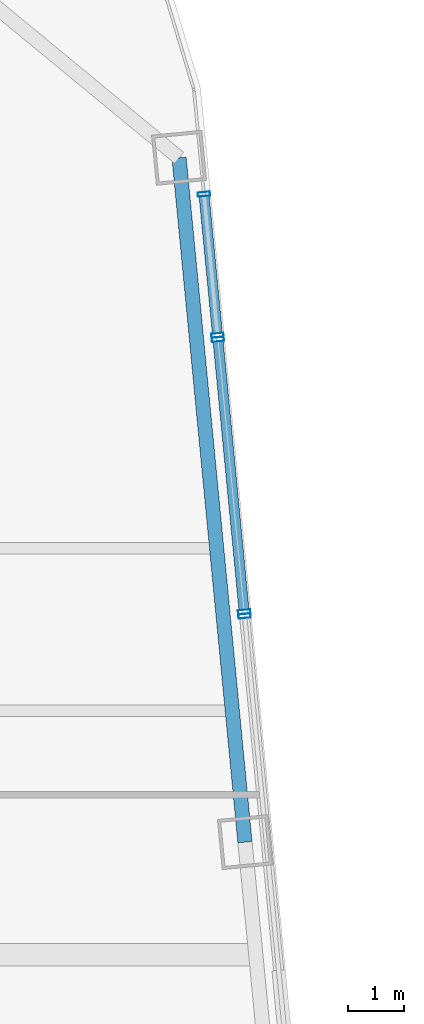
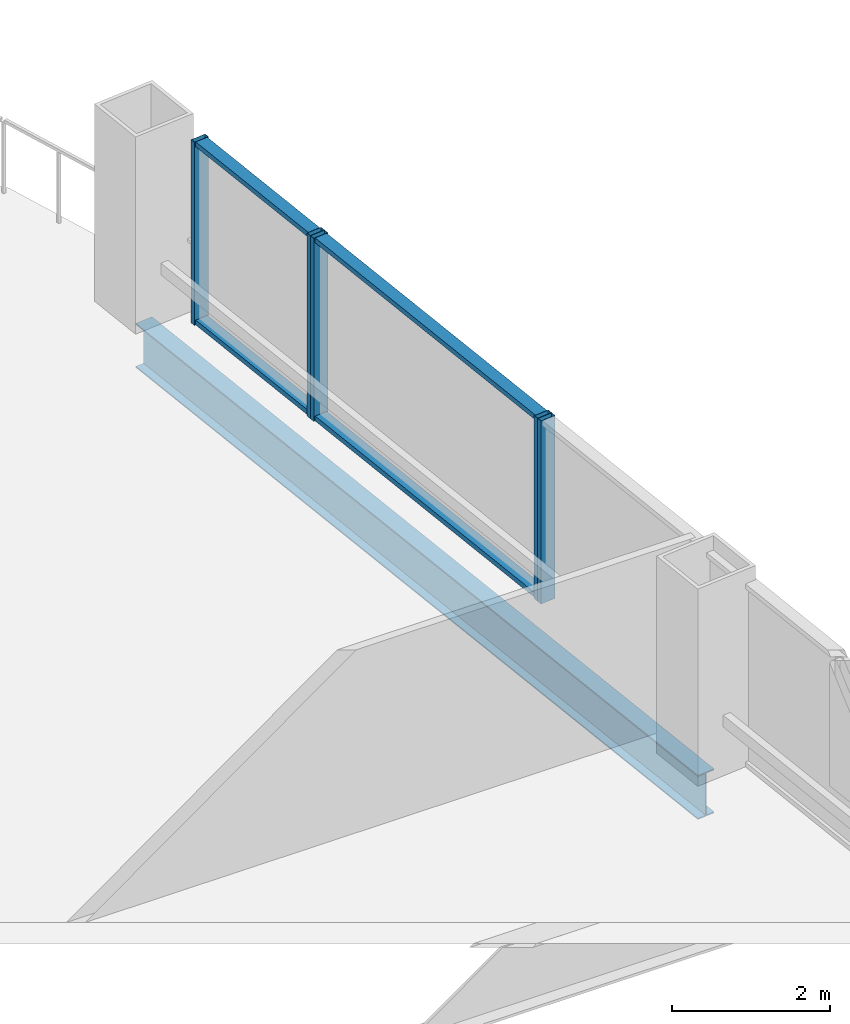
# One storey, part 24 of 32: 9 members, 1 beam, 3 elements without a shape of their own.
"""IFC4 building model written with IfcOpenShell, lengths in metres."""

from ifc_helpers import new_model, si_unit, direction, frame, origin, origin_2d, place, context, subcontext, project, spatial, hollow_rectangle, i_section, extrude, material, layer, layer_set, material_profile, profile_set, type_object, element, aggregate, save


model = new_model("IFC4")

# Units and contexts
model_context = context("Model", 3, precision=1e-05, world=origin(), true_north=direction((0.0, 1.0)))
body_context = subcontext(model_context, "Body", "Model", "MODEL_VIEW")
ifc_project = project(units=[si_unit("LENGTHUNIT", "METRE"), si_unit("AREAUNIT", "SQUARE_METRE"), si_unit("VOLUMEUNIT", "CUBIC_METRE"), si_unit("PLANEANGLEUNIT", "RADIAN"), si_unit("MASSUNIT", "GRAM", prefix="KILO")], contexts=[model_context])

# Site, building, storey
site_placement = place(None, origin())
site = spatial("IfcSite", under=ifc_project, at=site_placement, CompositionType="ELEMENT")
building_placement = place(site_placement, origin())
building = spatial("IfcBuilding", under=site, at=building_placement, Name="Qhalaya Broadcast Tower", CompositionType="ELEMENT")
storey_placement = place(building_placement, frame((0.0, 0.0, 87.75)))
storey = spatial("IfcBuildingStorey", under=building, at=storey_placement, Name="L25", CompositionType="ELEMENT", Elevation=87.75)

# Beam
ifc_material_1 = material(Name="Structural Steel ASTM A992 Grade 50", Category="steel")
ifc_material_profile_1 = material_profile(ifc_material_1, i_section(OverallWidth=0.25390625, OverallDepth=0.68310546875, WebThickness=0.012451171875, FlangeThickness=0.01904296875, at=origin_2d()), Name="W27X94")
ifc_profile_set_1 = profile_set([ifc_material_profile_1], Name="Structural Steel ASTM A992 Grade 50")
beam_type = type_object("IfcBeamType", Name="Perimeter Ring Spandrel Beam SP1", PredefinedType="SPANDREL", material=ifc_profile_set_1)
beam_placement = place(storey_placement, frame((26.941162109375, 11.955078125, -0.5615234375), z_axis=(-0.095851586307, 0.99539563662, 0.0), x_axis=(-0.99539563662, -0.095851586307, 0.0)))
element("IfcBeam", 1, at=beam_placement, inside=storey, type_object=beam_type, Name="L25 SP1 L25-SPR-07", PredefinedType="SPANDREL", context=body_context, shape_type="SweptSolid", body=[
    extrude(i_section(OverallWidth=0.25390625, OverallDepth=0.68310546875, WebThickness=0.012451171875, FlangeThickness=0.01904296875, at=origin_2d()), origin(), (0.0, 0.0, 1.0), 12.2666015625),
])

# Curtain wall, member
ifc_material_2 = material(Name="Fired Architectural Terracotta", Category="masonry")
ifc_layer_1 = layer(ifc_material_2, 0.219970703125, Name="Fired Architectural Terracotta")
ifc_layer_set_1 = layer_set([ifc_layer_1], Name="Fired Architectural Terracotta")
curtain_wall_type_1 = type_object("IfcCurtainWallType", Name="Block-Cap Unitised Terracotta Spandrel Wall CW-07", PredefinedType="NOTDEFINED", material=ifc_layer_set_1)
curtain_wall_1_placement = place(storey_placement, origin())
curtain_wall_1 = element("IfcCurtainWall", 2, at=curtain_wall_1_placement, inside=storey, type_object=curtain_wall_type_1, Name="L25 Unitised Curtain Wall L25-CW-E5", PredefinedType="NOTDEFINED")
ifc_material_3 = material(Name="Anodised Aluminium 6063-T6", Category="aluminium")
ifc_material_profile_2 = material_profile(ifc_material_3, hollow_rectangle(XDim=0.074951171875, YDim=0.219970703125, WallThickness=0.00390625, at=origin_2d()), Name="ALU-MUL 75x220x4")
ifc_profile_set_2 = profile_set([ifc_material_profile_2], Name="Anodised Aluminium 6063-T6")
member_type_1 = type_object("IfcMemberType", Name="Unitised Curtain-Wall Mullion M01", PredefinedType="MULLION", material=ifc_profile_set_2)
member_1_placement = place(storey_placement, frame((26.934326171875, 15.989990234375, 0.0), z_axis=(0.0, 0.0, 1.0), x_axis=(-0.095849092763, 0.995395876733, 0.0)))
member_1 = element("IfcMember", 3, at=member_1_placement, type_object=member_type_1, Name="CW-07 mullion 2", PredefinedType="MULLION", context=body_context, shape_type="SweptSolid", body=[
    extrude(hollow_rectangle(XDim=0.074951171875, YDim=0.219970703125, WallThickness=0.00390625, at=origin_2d()), origin(), (0.0, 0.0, 1.0), 2.830078125),
])
aggregate(curtain_wall_1, [member_1])

# Curtain wall, members
ifc_material_4 = material(Name="Solar-Control Low-E Triple Glazing", Category="glass")
ifc_layer_2 = layer(ifc_material_4, 0.219970703125, Name="Solar-Control Low-E Triple Glazing")
ifc_layer_set_2 = layer_set([ifc_layer_2], Name="Solar-Control Low-E Triple Glazing")
curtain_wall_type_2 = type_object("IfcCurtainWallType", Name="Even-Block 4-Storey Double-Module Curtain Wall CW-03", PredefinedType="NOTDEFINED", material=ifc_layer_set_2)
curtain_wall_2_placement = place(storey_placement, origin())
curtain_wall_2 = element("IfcCurtainWall", 4, at=curtain_wall_2_placement, inside=storey, type_object=curtain_wall_type_2, Name="L25 Unitised Curtain Wall L25-CW-E6", PredefinedType="NOTDEFINED")
member_2_placement = place(storey_placement, frame((26.92724609375, 16.064697265625, 0.0), z_axis=(0.0, 0.0, 1.0), x_axis=(-0.095846535553, 0.995396122969, 0.0)))
member_2 = element("IfcMember", 5, at=member_2_placement, type_object=member_type_1, Name="CW-03 mullion 1", PredefinedType="MULLION", context=body_context, shape_type="SweptSolid", body=[
    extrude(hollow_rectangle(XDim=0.074951171875, YDim=0.219970703125, WallThickness=0.00390625, at=origin_2d()), origin(), (0.0, 0.0, 1.0), 2.830078125),
])
member_3_placement = place(storey_placement, frame((26.459228515625, 20.92529296875, 0.0), z_axis=(0.0, 0.0, 1.0), x_axis=(-0.095846535553, 0.995396122969, 0.0)))
member_3 = element("IfcMember", 6, at=member_3_placement, type_object=member_type_1, Name="CW-03 mullion 2", PredefinedType="MULLION", context=body_context, shape_type="SweptSolid", body=[
    extrude(hollow_rectangle(XDim=0.074951171875, YDim=0.219970703125, WallThickness=0.00390625, at=origin_2d()), origin(), (0.0, 0.0, 1.0), 2.830078125),
])

curtain_wall_3_placement = place(storey_placement, origin())
curtain_wall_3 = element("IfcCurtainWall", 7, at=curtain_wall_3_placement, inside=storey, type_object=curtain_wall_type_1, Name="L25 Unitised Curtain Wall L25-CW-E7", PredefinedType="NOTDEFINED")
member_4_placement = place(storey_placement, frame((26.451904296875, 20.999755859375, 0.0), z_axis=(0.0, 0.0, 1.0), x_axis=(-0.095849237045, 0.995395862839, 0.0)))
member_4 = element("IfcMember", 8, at=member_4_placement, type_object=member_type_1, Name="CW-07 mullion 1", PredefinedType="MULLION", context=body_context, shape_type="SweptSolid", body=[
    extrude(hollow_rectangle(XDim=0.074951171875, YDim=0.219970703125, WallThickness=0.00390625, at=origin_2d()), origin(), (0.0, 0.0, 1.0), 2.830078125),
])
member_5_placement = place(storey_placement, frame((26.20947265625, 23.517333984375, 0.0), z_axis=(0.0, 0.0, 1.0), x_axis=(-0.095849237045, 0.995395862839, 0.0)))
member_5 = element("IfcMember", 9, at=member_5_placement, type_object=member_type_1, Name="CW-07 mullion 2", PredefinedType="MULLION", context=body_context, shape_type="SweptSolid", body=[
    extrude(hollow_rectangle(XDim=0.074951171875, YDim=0.219970703125, WallThickness=0.00390625, at=origin_2d()), origin(), (0.0, 0.0, 1.0), 2.830078125),
])

# Member
ifc_material_profile_3 = material_profile(ifc_material_3, hollow_rectangle(XDim=0.074951171875, YDim=0.179931640625, WallThickness=0.00390625, at=origin_2d()), Name="ALU-TRN 75x180x4")
ifc_profile_set_3 = profile_set([ifc_material_profile_3], Name="Anodised Aluminium 6063-T6")
member_type_2 = type_object("IfcMemberType", Name="Unitised Curtain-Wall Transom T01", PredefinedType="USERDEFINED", material=ifc_profile_set_3)
member_6_placement = place(storey_placement, frame((26.923583984375, 16.10205078125, 0.03759765625), z_axis=(-0.0958178693, 0.995398882822, 0.0), x_axis=(0.0, 0.0, 1.0)))
member_6 = element("IfcMember", 10, at=member_6_placement, type_object=member_type_2, Name="CW-03 transom 1.1", ObjectType="TRANSOM", PredefinedType="USERDEFINED", context=body_context, shape_type="SweptSolid", body=[
    extrude(hollow_rectangle(XDim=0.074951171875, YDim=0.179931640625, WallThickness=0.00390625, at=origin_2d()), origin(), (0.0, 0.0, 1.0), 4.80810546875),
])

member_7_placement = place(storey_placement, frame((26.923583984375, 16.10205078125, 2.79248046875), z_axis=(-0.0958178693, 0.995398882822, 0.0), x_axis=(0.0, 0.0, 1.0)))
member_7 = element("IfcMember", 11, at=member_7_placement, type_object=member_type_2, Name="CW-03 transom 1.2", ObjectType="TRANSOM", PredefinedType="USERDEFINED", context=body_context, shape_type="SweptSolid", body=[
    extrude(hollow_rectangle(XDim=0.074951171875, YDim=0.179931640625, WallThickness=0.00390625, at=origin_2d()), origin(), (0.0, 0.0, 1.0), 4.80810546875),
])

aggregate(curtain_wall_2, [member_2, member_3, member_6, member_7])

member_8_placement = place(storey_placement, frame((26.448486328125, 21.037109375, 0.03759765625), z_axis=(-0.095898167954, 0.995391149942, 0.0), x_axis=(0.0, 0.0, 1.0)))
member_8 = element("IfcMember", 12, at=member_8_placement, type_object=member_type_2, Name="CW-07 transom 1.1", ObjectType="TRANSOM", PredefinedType="USERDEFINED", context=body_context, shape_type="SweptSolid", body=[
    extrude(hollow_rectangle(XDim=0.074951171875, YDim=0.179931640625, WallThickness=0.00390625, at=origin_2d()), origin(), (0.0, 0.0, 1.0), 2.4541015625),
])

member_9_placement = place(storey_placement, frame((26.448486328125, 21.037109375, 2.79248046875), z_axis=(-0.095898167954, 0.995391149942, 0.0), x_axis=(0.0, 0.0, 1.0)))
member_9 = element("IfcMember", 13, at=member_9_placement, type_object=member_type_2, Name="CW-07 transom 1.2", ObjectType="TRANSOM", PredefinedType="USERDEFINED", context=body_context, shape_type="SweptSolid", body=[
    extrude(hollow_rectangle(XDim=0.074951171875, YDim=0.179931640625, WallThickness=0.00390625, at=origin_2d()), origin(), (0.0, 0.0, 1.0), 2.4541015625),
])

aggregate(curtain_wall_3, [member_4, member_5, member_8, member_9])

save(model, "model.ifc")
